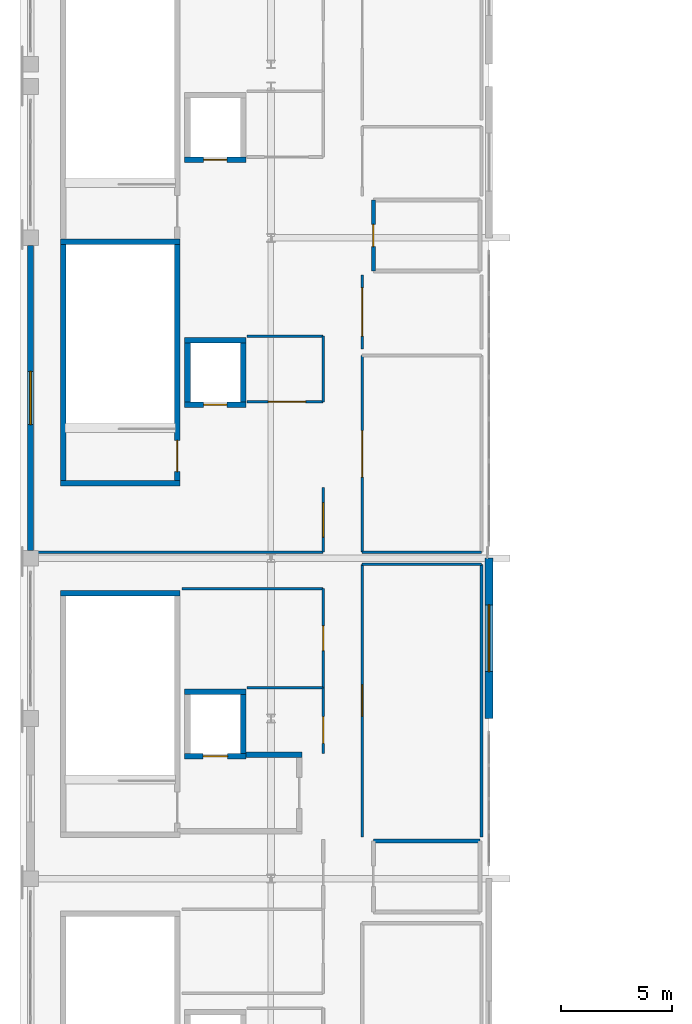
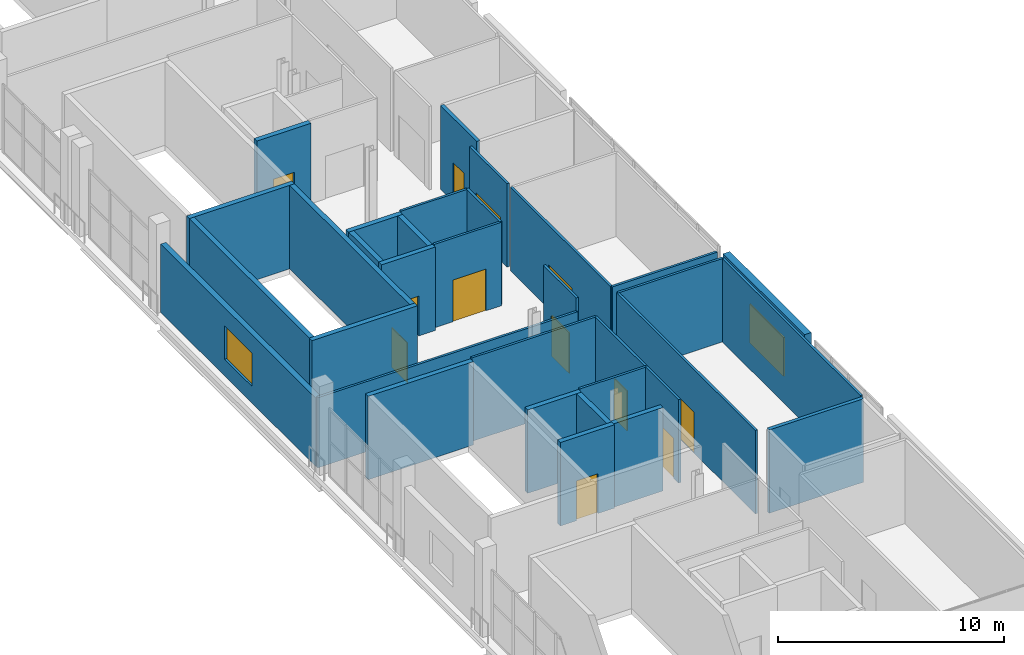
# One storey, part 13 of 19: 33 walls, 12 doors, 2 windows, 14 openings.
"""IFC4 building model written with IfcOpenShell, lengths in metres."""

from ifc_helpers import new_model, si_unit, direction, frame, frame_2d, origin, place, context, subcontext, project, spatial, rectangle, extrude, material, layer, layer_set, type_object, element, fill, save


model = new_model("IFC4")

# Units and contexts
model_context = context("Model", 3, precision=1e-05, world=origin(), true_north=direction((0.0, 1.0)))
body_context = subcontext(model_context, "Body", "Model", "MODEL_VIEW")
ifc_project = project(units=[si_unit("LENGTHUNIT", "METRE"), si_unit("AREAUNIT", "SQUARE_METRE"), si_unit("VOLUMEUNIT", "CUBIC_METRE"), si_unit("PLANEANGLEUNIT", "RADIAN"), si_unit("MASSUNIT", "GRAM", prefix="KILO")], contexts=[model_context])

# Site, building, storey
site_placement = place(None, origin())
site = spatial("IfcSite", under=ifc_project, at=site_placement, CompositionType="ELEMENT")
building_placement = place(site_placement, origin())
building = spatial("IfcBuilding", under=site, at=building_placement, Name="Koshinbarg Plaza Stadium", CompositionType="ELEMENT")
storey_placement = place(building_placement, frame((0.0, 0.0, 29.39990234375)))
storey = spatial("IfcBuildingStorey", under=building, at=storey_placement, Name="L06", CompositionType="ELEMENT", Elevation=29.39990234375)

# Walls
ifc_material_1 = material(Name="Concrete C40/50", Category="concrete")
ifc_layer_1 = layer(ifc_material_1, 0.25)
ifc_layer_set_1 = layer_set([ifc_layer_1], Name="Concrete C40/50")
wall_type_1 = type_object("IfcWallType", Name="WL-CORE-250", PredefinedType="SHEAR", material=ifc_layer_set_1)
for number, where, z_axis, x_axis, name in (
    (1, (31.320068359375, 52.72509765625, 0.0), (0.0, 0.0, 1.0), (-1.0, 0.0, 0.0), "L06 core stair shear wall C02-far IWL-L06-0054"),
    (2, (25.949951171875, 57.675048828125, 0.0), (0.0, 0.0, 1.0), (1.0, 0.0, 0.0), "L06 core stair shear wall C03-near IWL-L06-0081"),
    (3, (31.320068359375, 68.52490234375, 0.0), (0.0, 0.0, 1.0), (-1.0, 0.0, 0.0), "L06 core stair shear wall C03-far IWL-L06-0082"),
):
    element("IfcWall", number, at=place(storey_placement, frame(where, z_axis=z_axis, x_axis=x_axis)), inside=storey, type_object=wall_type_1, Name=name, PredefinedType="SHEAR", context=body_context, shape_type="SweptSolid", body=[
        extrude(rectangle(XDim=5.3701171875, YDim=0.25, at=frame_2d((2.68505859375, 0.0))), origin(), (0.0, 0.0, 1.0), 4.5),
    ])
wall_1_placement = place(storey_placement, frame((26.074951171875, 57.675048828125, 0.0), z_axis=(0.0, 0.0, 1.0), x_axis=(0.0, 1.0, 0.0)))
element("IfcWall", 4, at=wall_1_placement, inside=storey, type_object=wall_type_1, Name="L06 core stair shear wall C03-left IWL-L06-0083", PredefinedType="SHEAR", context=body_context, shape_type="SweptSolid", body=[
    extrude(rectangle(XDim=10.849853515625, YDim=0.25, at=frame_2d((5.4248046875, 0.0))), origin(), (0.0, 0.0, 1.0), 4.5),
])

# Wall, opening, door
wall_2_placement = place(storey_placement, frame((31.195068359375, 57.675048828125, 0.0), z_axis=(0.0, 0.0, 1.0), x_axis=(0.0, 1.0, 0.0)))
wall_2 = element("IfcWall", 5, at=wall_2_placement, inside=storey, type_object=wall_type_1, Name="L06 core stair shear wall C03-right IWL-L06-0084", PredefinedType="SHEAR", context=body_context, shape_type="SweptSolid", body=[
    extrude(rectangle(XDim=10.849853515625, YDim=0.25, at=frame_2d((5.4248046875, 0.0))), origin(), (0.0, 0.0, 1.0), 4.5),
])
opening_1_placement = place(wall_2_placement, frame((0.52001953125, 0.0, 0.0)))
opening_1 = element("IfcOpeningElement", 6, at=opening_1_placement, cuts=wall_2, Name="Opening D-0081", PredefinedType="OPENING", context=body_context, shape_type="SweptSolid", body=[
    extrude(rectangle(XDim=1.39990234375, YDim=2.14990234375, at=frame_2d((0.699951171875, 1.074951171875))), frame((0.0, 0.135009765625, 0.0), z_axis=(0.0, -1.0, 0.0), x_axis=(1.0, 0.0, 0.0)), (0.0, 0.0, 1.0), 0.27001953125),
])
ifc_material_2 = material(Name="Painted galvanized steel fire door", Category="steel")
door_type_1 = type_object("IfcDoorType", Name="DR-STAIR-1400", OperationType="NOTDEFINED", PredefinedType="DOOR", material=ifc_material_2)
door_1_placement = place(opening_1_placement, origin())
door_1 = element("IfcDoor", 7, at=door_1_placement, inside=storey, type_object=door_type_1, Name="L06 exit stair door C03", OperationType="SINGLE_SWING_LEFT", OverallHeight=2.14990234375, OverallWidth=1.39990234375, PredefinedType="DOOR", context=body_context, shape_type="SweptSolid", body=[
    extrude(rectangle(XDim=1.39990234375, YDim=2.14990234375, at=frame_2d((0.699951171875, 1.074951171875))), frame((0.0, 0.02490234375, 0.0), z_axis=(0.0, -1.0, 0.0), x_axis=(1.0, 0.0, 0.0)), (0.0, 0.0, 1.0), 0.050048828125),
])
fill(opening_1, door_1)

wall_3_placement = place(storey_placement, frame((31.52490234375, 45.39990234375, 0.0), z_axis=(0.0, 0.0, 1.0), x_axis=(1.0, 0.0, 0.0)))
wall_3 = element("IfcWall", 8, at=wall_3_placement, inside=storey, type_object=wall_type_1, Name="L06 lift shaft shear wall FL02-S IWL-L06-0701", PredefinedType="SHEAR", context=body_context, shape_type="SweptSolid", body=[
    extrude(rectangle(XDim=2.75, YDim=0.25, at=frame_2d((1.375, 0.0))), origin(), (0.0, 0.0, 1.0), 4.5),
])
opening_2_placement = place(wall_3_placement, frame((0.824951171875, 0.0, 0.0)))
opening_2 = element("IfcOpeningElement", 9, at=opening_2_placement, cuts=wall_3, Name="Opening D-0241", PredefinedType="OPENING", context=body_context, shape_type="SweptSolid", body=[
    extrude(rectangle(XDim=1.10009765625, YDim=2.14990234375, at=frame_2d((0.550048828125, 1.074951171875))), frame((0.0, 0.135009765625, 0.0), z_axis=(0.0, -1.0, 0.0), x_axis=(1.0, 0.0, 0.0)), (0.0, 0.0, 1.0), 0.27001953125),
])
ifc_material_3 = material(Name="Brushed stainless steel sliding lift landing door", Category="steel")
door_type_2 = type_object("IfcDoorType", Name="DR-LIFT-1100", OperationType="NOTDEFINED", PredefinedType="DOOR", material=ifc_material_3)
door_2_placement = place(opening_2_placement, origin())
door_2 = element("IfcDoor", 10, at=door_2_placement, inside=storey, type_object=door_type_2, Name="L06 lift landing door FL02", OperationType="SLIDING_TO_LEFT", OverallHeight=2.14990234375, OverallWidth=1.10009765625, PredefinedType="DOOR", context=body_context, shape_type="SweptSolid", body=[
    extrude(rectangle(XDim=1.10009765625, YDim=2.14990234375, at=frame_2d((0.550048828125, 1.074951171875))), frame((0.0, 0.02490234375, 0.0), z_axis=(0.0, -1.0, 0.0), x_axis=(1.0, 0.0, 0.0)), (0.0, 0.0, 1.0), 0.050048828125),
])
fill(opening_2, door_2)

# Walls
wall_4_placement = place(storey_placement, frame((34.27490234375, 48.300048828125, 0.0), z_axis=(0.0, 0.0, 1.0), x_axis=(-1.0, 0.0, 0.0)))
element("IfcWall", 11, at=wall_4_placement, inside=storey, type_object=wall_type_1, Name="L06 lift shaft shear wall FL02-N IWL-L06-0702", PredefinedType="SHEAR", context=body_context, shape_type="SweptSolid", body=[
    extrude(rectangle(XDim=2.75, YDim=0.25, at=frame_2d((1.375, 0.0))), origin(), (0.0, 0.0, 1.0), 4.5),
])
wall_5_placement = place(storey_placement, frame((34.14990234375, 45.39990234375, 0.0), z_axis=(0.0, 0.0, 1.0), x_axis=(0.0, 1.0, 0.0)))
element("IfcWall", 12, at=wall_5_placement, inside=storey, type_object=wall_type_1, Name="L06 lift shaft shear wall FL02-E IWL-L06-0704", PredefinedType="SHEAR", context=body_context, shape_type="SweptSolid", body=[
    extrude(rectangle(XDim=2.900146484375, YDim=0.25, at=frame_2d((1.4501953125, 0.0))), origin(), (0.0, 0.0, 1.0), 4.5),
])
wall_6_placement = place(storey_placement, frame((34.27490234375, 45.47509765625, 0.0), z_axis=(0.0, 0.0, 1.0), x_axis=(1.0, 0.0, 0.0)))
element("IfcWall", 13, at=wall_6_placement, inside=storey, type_object=wall_type_1, Name="L06 firefighting lobby wall C02-NE IWL-L06-0706", PredefinedType="SHEAR", context=body_context, shape_type="SweptSolid", body=[
    extrude(rectangle(XDim=2.525146484375, YDim=0.25, at=frame_2d((1.2626953125, 0.0))), origin(), (0.0, 0.0, 1.0), 4.5),
])

# Wall, opening, door
wall_7_placement = place(storey_placement, frame((31.52490234375, 61.199951171875, 0.0), z_axis=(0.0, 0.0, 1.0), x_axis=(1.0, 0.0, 0.0)))
wall_7 = element("IfcWall", 14, at=wall_7_placement, inside=storey, type_object=wall_type_1, Name="L06 lift shaft shear wall LP01-S IWL-L06-0732", PredefinedType="SHEAR", context=body_context, shape_type="SweptSolid", body=[
    extrude(rectangle(XDim=2.75, YDim=0.25, at=frame_2d((1.375, 0.0))), origin(), (0.0, 0.0, 1.0), 4.5),
])
opening_3_placement = place(wall_7_placement, frame((0.85009765625, 0.0, 0.0)))
opening_3 = element("IfcOpeningElement", 15, at=opening_3_placement, cuts=wall_7, Name="Opening D-0249", PredefinedType="OPENING", context=body_context, shape_type="SweptSolid", body=[
    extrude(rectangle(XDim=1.050048828125, YDim=2.14990234375, at=frame_2d((0.52490234375, 1.074951171875))), frame((0.0, 0.135009765625, 0.0), z_axis=(0.0, -1.0, 0.0), x_axis=(1.0, 0.0, 0.0)), (0.0, 0.0, 1.0), 0.27001953125),
])
door_type_3 = type_object("IfcDoorType", Name="DR-LIFT-1050", OperationType="NOTDEFINED", PredefinedType="DOOR", material=ifc_material_3)
door_3_placement = place(opening_3_placement, origin())
door_3 = element("IfcDoor", 16, at=door_3_placement, inside=storey, type_object=door_type_3, Name="L06 lift landing door LP01", OperationType="SLIDING_TO_RIGHT", OverallHeight=2.14990234375, OverallWidth=1.050048828125, PredefinedType="DOOR", context=body_context, shape_type="SweptSolid", body=[
    extrude(rectangle(XDim=1.050048828125, YDim=2.14990234375, at=frame_2d((0.52490234375, 1.074951171875))), frame((0.0, 0.02490234375, 0.0), z_axis=(0.0, -1.0, 0.0), x_axis=(1.0, 0.0, 0.0)), (0.0, 0.0, 1.0), 0.050048828125),
])
fill(opening_3, door_3)

# Walls
wall_8_placement = place(storey_placement, frame((34.27490234375, 64.10009765625, 0.0), z_axis=(0.0, 0.0, 1.0), x_axis=(-1.0, 0.0, 0.0)))
element("IfcWall", 17, at=wall_8_placement, inside=storey, type_object=wall_type_1, Name="L06 lift shaft shear wall LP01-N IWL-L06-0733", PredefinedType="SHEAR", context=body_context, shape_type="SweptSolid", body=[
    extrude(rectangle(XDim=2.75, YDim=0.25, at=frame_2d((1.375, 0.0))), origin(), (0.0, 0.0, 1.0), 4.5),
])
for number, where, z_axis, x_axis, name in (
    (18, (31.64990234375, 64.10009765625, 0.0), (0.0, 0.0, 1.0), (0.0, -1.0, 0.0), "L06 lift shaft shear wall LP01-W IWL-L06-0734"),
    (19, (34.14990234375, 61.199951171875, 0.0), (0.0, 0.0, 1.0), (0.0, 1.0, 0.0), "L06 lift shaft shear wall LP01-E IWL-L06-0735"),
):
    element("IfcWall", number, at=place(storey_placement, frame(where, z_axis=z_axis, x_axis=x_axis)), inside=storey, type_object=wall_type_1, Name=name, PredefinedType="SHEAR", context=body_context, shape_type="SweptSolid", body=[
        extrude(rectangle(XDim=2.900146484375, YDim=0.25, at=frame_2d((1.4501953125, 0.0))), origin(), (0.0, 0.0, 1.0), 4.5),
    ])

# Wall, opening, door
wall_9_placement = place(storey_placement, frame((31.52490234375, 72.199951171875, 0.0), z_axis=(0.0, 0.0, 1.0), x_axis=(1.0, 0.0, 0.0)))
wall_9 = element("IfcWall", 20, at=wall_9_placement, inside=storey, type_object=wall_type_1, Name="L06 lift shaft shear wall LP02-S IWL-L06-0760", PredefinedType="SHEAR", context=body_context, shape_type="SweptSolid", body=[
    extrude(rectangle(XDim=2.75, YDim=0.25, at=frame_2d((1.375, 0.0))), origin(), (0.0, 0.0, 1.0), 4.5),
])
opening_4_placement = place(wall_9_placement, frame((0.85009765625, 0.0, 0.0)))
opening_4 = element("IfcOpeningElement", 21, at=opening_4_placement, cuts=wall_9, Name="Opening D-0256", PredefinedType="OPENING", context=body_context, shape_type="SweptSolid", body=[
    extrude(rectangle(XDim=1.050048828125, YDim=2.14990234375, at=frame_2d((0.52490234375, 1.074951171875))), frame((0.0, 0.135009765625, 0.0), z_axis=(0.0, -1.0, 0.0), x_axis=(1.0, 0.0, 0.0)), (0.0, 0.0, 1.0), 0.27001953125),
])
door_4_placement = place(opening_4_placement, origin())
door_4 = element("IfcDoor", 22, at=door_4_placement, inside=storey, type_object=door_type_3, Name="L06 lift landing door LP02", OperationType="SLIDING_TO_LEFT", OverallHeight=2.14990234375, OverallWidth=1.050048828125, PredefinedType="DOOR", context=body_context, shape_type="SweptSolid", body=[
    extrude(rectangle(XDim=1.050048828125, YDim=2.14990234375, at=frame_2d((0.52490234375, 1.074951171875))), frame((0.0, 0.02490234375, 0.0), z_axis=(0.0, -1.0, 0.0), x_axis=(1.0, 0.0, 0.0)), (0.0, 0.0, 1.0), 0.050048828125),
])
fill(opening_4, door_4)

# Wall, opening, window
ifc_material_4 = material(Name="Terracotta-ochre mineral plaster insulated wall", Category="masonry")
ifc_layer_2 = layer(ifc_material_4, 0.280029296875)
ifc_layer_set_2 = layer_set([ifc_layer_2], Name="Terracotta-ochre mineral plaster insulated wall")
wall_type_2 = type_object("IfcWallType", Name="WL-EXT-280", PredefinedType="SOLIDWALL", material=ifc_layer_set_2)
wall_10_placement = place(storey_placement, frame((24.60009765625, 54.64501953125, 0.0), z_axis=(0.0, 0.0, 1.0), x_axis=(0.0, 1.0, 0.0)))
wall_10 = element("IfcWall", 23, at=wall_10_placement, inside=storey, type_object=wall_type_2, Name="L06 exterior envelope wall EWL-L06-0248", PredefinedType="SOLIDWALL", context=body_context, shape_type="SweptSolid", body=[
    extrude(rectangle(XDim=13.7099609375, YDim=0.280029296875, at=frame_2d((6.85498046875, 0.0))), origin(), (0.0, 0.0, 1.0), 3.68017578125),
])
opening_5_placement = place(wall_10_placement, frame((5.655029296875, 0.0, 0.89990234375)))
opening_5 = element("IfcOpeningElement", 24, at=opening_5_placement, cuts=wall_10, Name="Opening WN11", PredefinedType="OPENING", context=body_context, shape_type="SweptSolid", body=[
    extrude(rectangle(XDim=2.39990234375, YDim=1.800048828125, at=frame_2d((1.199951171875, 0.89990234375))), frame((0.0, 0.14990234375, 0.0), z_axis=(0.0, -1.0, 0.0), x_axis=(1.0, 0.0, 0.0)), (0.0, 0.0, 1.0), 0.300048828125),
])
ifc_material_5 = material(Name="Solar-control double glazing in thermally broken aluminium frame", Category="aluminium")
window_type_1 = type_object("IfcWindowType", Name="WN-FAC-11", PartitioningType="DOUBLE_PANEL_VERTICAL", PredefinedType="WINDOW", material=ifc_material_5)
window_1_placement = place(opening_5_placement, origin())
window_1 = element("IfcWindow", 25, at=window_1_placement, inside=storey, type_object=window_type_1, Name="L06 facade window 0179", OverallHeight=1.800048828125, OverallWidth=2.39990234375, PartitioningType="SINGLE_PANEL", PredefinedType="WINDOW", context=body_context, shape_type="SweptSolid", body=[
    extrude(rectangle(XDim=2.39990234375, YDim=1.800048828125, at=frame_2d((1.199951171875, 0.89990234375))), frame((0.0, 0.030029296875, 0.0), z_axis=(0.0, -1.0, 0.0), x_axis=(1.0, 0.0, 0.0)), (0.0, 0.0, 1.0), 0.06005859375),
])
fill(opening_5, window_1)

ifc_material_6 = material(Name="Acoustic insulated masonry stadium wall", Category="masonry")
ifc_layer_3 = layer(ifc_material_6, 0.35009765625)
ifc_layer_set_3 = layer_set([ifc_layer_3], Name="Acoustic insulated masonry stadium wall")
wall_type_3 = type_object("IfcWallType", Name="WL-EXT-350", PredefinedType="SOLIDWALL", material=ifc_layer_set_3)
wall_11_placement = place(storey_placement, frame((45.199951171875, 54.300048828125, 0.0), z_axis=(0.0, 0.0, 1.0), x_axis=(0.0, -1.0, 0.0)))
wall_11 = element("IfcWall", 26, at=wall_11_placement, inside=storey, type_object=wall_type_3, Name="L06 exterior envelope wall EWL-L06-0255", PredefinedType="SOLIDWALL", context=body_context, shape_type="SweptSolid", body=[
    extrude(rectangle(XDim=7.199951171875, YDim=0.35009765625, at=frame_2d((3.60009765625, 0.0))), origin(), (0.0, 0.0, 1.0), 4.47998046875),
])
opening_6_placement = place(wall_11_placement, frame((2.10009765625, 0.0, 0.89990234375)))
opening_6 = element("IfcOpeningElement", 27, at=opening_6_placement, cuts=wall_11, Name="Opening WN17", PredefinedType="OPENING", context=body_context, shape_type="SweptSolid", body=[
    extrude(rectangle(XDim=3.0, YDim=2.10009765625, at=frame_2d((1.5, 1.050048828125))), frame((0.0, 0.18505859375, 0.0), z_axis=(0.0, -1.0, 0.0), x_axis=(1.0, 0.0, 0.0)), (0.0, 0.0, 1.0), 0.3701171875),
])
window_type_2 = type_object("IfcWindowType", Name="WN-FAC-17", PartitioningType="DOUBLE_PANEL_VERTICAL", PredefinedType="WINDOW", material=ifc_material_5)
window_2_placement = place(opening_6_placement, origin())
window_2 = element("IfcWindow", 28, at=window_2_placement, inside=storey, type_object=window_type_2, Name="L06 facade window 0185", OverallHeight=2.10009765625, OverallWidth=3.0, PartitioningType="SINGLE_PANEL", PredefinedType="WINDOW", context=body_context, shape_type="SweptSolid", body=[
    extrude(rectangle(XDim=3.0, YDim=2.10009765625, at=frame_2d((1.5, 1.050048828125))), frame((0.0, 0.030029296875, 0.0), z_axis=(0.0, -1.0, 0.0), x_axis=(1.0, 0.0, 0.0)), (0.0, 0.0, 1.0), 0.06005859375),
])
fill(opening_6, window_2)

# Wall, opening, door
ifc_material_7 = material(Name="Gypsum board metal-stud acoustic partition")
ifc_layer_4 = layer(ifc_material_7, 0.1201171875)
ifc_layer_set_4 = layer_set([ifc_layer_4], Name="Gypsum board metal-stud acoustic partition")
wall_type_4 = type_object("IfcWallType", Name="WL-PART-120", PredefinedType="PARTITIONING", material=ifc_layer_set_4)
wall_12_placement = place(storey_placement, frame((37.75, 48.47998046875, 0.0), z_axis=(0.0, 0.0, 1.0), x_axis=(0.0, 1.0, 0.0)))
wall_12 = element("IfcWall", 29, at=wall_12_placement, inside=storey, type_object=wall_type_4, Name="L06 interior partition L06-24-east IWL-L06-2395", PredefinedType="PARTITIONING", context=body_context, shape_type="SweptSolid", body=[
    extrude(rectangle(XDim=4.449951171875, YDim=0.1201171875, at=frame_2d((2.22509765625, 0.0))), origin(), (0.0, 0.0, 1.0), 4.5),
])
opening_7_placement = place(wall_12_placement, frame((1.6650390625, 0.0, 0.0)))
opening_7 = element("IfcOpeningElement", 30, at=opening_7_placement, cuts=wall_12, Name="Opening D-0831", PredefinedType="OPENING", context=body_context, shape_type="SweptSolid", body=[
    extrude(rectangle(XDim=1.1201171875, YDim=2.14990234375, at=frame_2d((0.56005859375, 1.074951171875))), frame((0.0, 0.070068359375, 0.0), z_axis=(0.0, -1.0, 0.0), x_axis=(1.0, 0.0, 0.0)), (0.0, 0.0, 1.0), 0.14013671875),
])
ifc_material_8 = material(Name="Acoustic timber broadcast studio door", Category="wood")
door_type_4 = type_object("IfcDoorType", Name="DR-INT-1120x2150", OperationType="NOTDEFINED", PredefinedType="DOOR", material=ifc_material_8)
door_5_placement = place(opening_7_placement, origin())
door_5 = element("IfcDoor", 31, at=door_5_placement, inside=storey, type_object=door_type_4, Name="L06 Championship Trophy Hall door D-0831", OperationType="SINGLE_SWING_LEFT", OverallHeight=2.14990234375, OverallWidth=1.1201171875, PredefinedType="DOOR", context=body_context, shape_type="SweptSolid", body=[
    extrude(rectangle(XDim=1.1201171875, YDim=2.14990234375, at=frame_2d((0.56005859375, 1.074951171875))), frame((0.0, 0.02490234375, 0.0), z_axis=(0.0, -1.0, 0.0), x_axis=(1.0, 0.0, 0.0)), (0.0, 0.0, 1.0), 0.050048828125),
])
fill(opening_7, door_5)

# Wall
wall_13_placement = place(storey_placement, frame((37.75, 52.929931640625, 0.0), z_axis=(0.0, 0.0, 1.0), x_axis=(-1.0, 0.0, 0.0)))
element("IfcWall", 32, at=wall_13_placement, inside=storey, type_object=wall_type_4, Name="L06 interior partition L06-24-north IWL-L06-2396", PredefinedType="PARTITIONING", context=body_context, shape_type="SweptSolid", body=[
    extrude(rectangle(XDim=6.35009765625, YDim=0.1201171875, at=frame_2d((3.175048828125, 0.0))), origin(), (0.0, 0.0, 1.0), 4.5),
])

# Wall, opening, door
wall_14_placement = place(storey_placement, frame((37.75, 45.530029296875, 0.0), z_axis=(0.0, 0.0, 1.0), x_axis=(0.0, 1.0, 0.0)))
wall_14 = element("IfcWall", 33, at=wall_14_placement, inside=storey, type_object=wall_type_4, Name="L06 interior partition L06-25-east IWL-L06-2397", PredefinedType="PARTITIONING", context=body_context, shape_type="SweptSolid", body=[
    extrude(rectangle(XDim=2.949951171875, YDim=0.1201171875, at=frame_2d((1.47509765625, 0.0))), origin(), (0.0, 0.0, 1.0), 4.5),
])
opening_8_placement = place(wall_14_placement, frame((0.455078125, 0.0, 0.0)))
opening_8 = element("IfcOpeningElement", 34, at=opening_8_placement, cuts=wall_14, Name="Opening D-0832", PredefinedType="OPENING", context=body_context, shape_type="SweptSolid", body=[
    extrude(rectangle(XDim=1.199951171875, YDim=2.14990234375, at=frame_2d((0.60009765625, 1.074951171875))), frame((0.0, 0.070068359375, 0.0), z_axis=(0.0, -1.0, 0.0), x_axis=(1.0, 0.0, 0.0)), (0.0, 0.0, 1.0), 0.14013671875),
])
ifc_material_9 = material(Name="Solid-core hardwood leaf in painted steel frame", Category="steel")
door_type_5 = type_object("IfcDoorType", Name="DR-INT-1200x2150", OperationType="NOTDEFINED", PredefinedType="DOOR", material=ifc_material_9)
door_6_placement = place(opening_8_placement, origin())
door_6 = element("IfcDoor", 35, at=door_6_placement, inside=storey, type_object=door_type_5, Name="L06 Members Panorama Lounge door D-0832", OperationType="SINGLE_SWING_RIGHT", OverallHeight=2.14990234375, OverallWidth=1.199951171875, PredefinedType="DOOR", context=body_context, shape_type="SweptSolid", body=[
    extrude(rectangle(XDim=1.199951171875, YDim=2.14990234375, at=frame_2d((0.60009765625, 1.074951171875))), frame((0.0, 0.02490234375, 0.0), z_axis=(0.0, -1.0, 0.0), x_axis=(1.0, 0.0, 0.0)), (0.0, 0.0, 1.0), 0.050048828125),
])
fill(opening_8, door_6)

# Walls
wall_15_placement = place(storey_placement, frame((37.75, 48.47998046875, 0.0), z_axis=(0.0, 0.0, 1.0), x_axis=(-1.0, 0.0, 0.0)))
element("IfcWall", 36, at=wall_15_placement, inside=storey, type_object=wall_type_4, Name="L06 interior partition L06-25-north IWL-L06-2398", PredefinedType="PARTITIONING", context=body_context, shape_type="SweptSolid", body=[
    extrude(rectangle(XDim=3.419921875, YDim=0.1201171875, at=frame_2d((1.7099609375, 0.0))), origin(), (0.0, 0.0, 1.0), 4.5),
])
wall_16_placement = place(storey_placement, frame((44.860107421875, 41.780029296875, 0.0), z_axis=(0.0, 0.0, 1.0), x_axis=(0.0, 1.0, 0.0)))
element("IfcWall", 37, at=wall_16_placement, inside=storey, type_object=wall_type_4, Name="L06 interior partition L06-27-east IWL-L06-2403", PredefinedType="PARTITIONING", context=body_context, shape_type="SweptSolid", body=[
    extrude(rectangle(XDim=12.25, YDim=0.1201171875, at=frame_2d((6.125, 0.0))), origin(), (0.0, 0.0, 1.0), 4.5),
])
wall_17_placement = place(storey_placement, frame((44.860107421875, 54.030029296875, 0.0), z_axis=(0.0, 0.0, 1.0), x_axis=(-1.0, 0.0, 0.0)))
element("IfcWall", 38, at=wall_17_placement, inside=storey, type_object=wall_type_4, Name="L06 interior partition L06-27-north IWL-L06-2404", PredefinedType="PARTITIONING", context=body_context, shape_type="SweptSolid", body=[
    extrude(rectangle(XDim=5.360107421875, YDim=0.1201171875, at=frame_2d((2.68017578125, 0.0))), origin(), (0.0, 0.0, 1.0), 4.5),
])

# Wall, opening, door
wall_18_placement = place(storey_placement, frame((39.5, 54.030029296875, 0.0), z_axis=(0.0, 0.0, 1.0), x_axis=(0.0, -1.0, 0.0)))
wall_18 = element("IfcWall", 39, at=wall_18_placement, inside=storey, type_object=wall_type_4, Name="L06 interior partition L06-27-west IWL-L06-2405", PredefinedType="PARTITIONING", context=body_context, shape_type="SweptSolid", body=[
    extrude(rectangle(XDim=12.25, YDim=0.1201171875, at=frame_2d((6.125, 0.0))), origin(), (0.0, 0.0, 1.0), 4.5),
])
opening_9_placement = place(wall_18_placement, frame((5.425048828125, 0.0, 0.0)))
opening_9 = element("IfcOpeningElement", 40, at=opening_9_placement, cuts=wall_18, Name="Opening D-0834", PredefinedType="OPENING", context=body_context, shape_type="SweptSolid", body=[
    extrude(rectangle(XDim=1.39990234375, YDim=2.199951171875, at=frame_2d((0.699951171875, 1.10009765625))), frame((0.0, 0.070068359375, 0.0), z_axis=(0.0, -1.0, 0.0), x_axis=(1.0, 0.0, 0.0)), (0.0, 0.0, 1.0), 0.14013671875),
])
ifc_material_10 = material(Name="Stainless-clad solid-core timber double fire door", Category="wood")
door_type_6 = type_object("IfcDoorType", Name="DR-INT-1400x2200", OperationType="NOTDEFINED", PredefinedType="DOOR", material=ifc_material_10)
door_7_placement = place(opening_9_placement, origin())
door_7 = element("IfcDoor", 41, at=door_7_placement, inside=storey, type_object=door_type_6, Name="L06 Championship Trophy Hall door D-0834", OperationType="DOUBLE_DOOR_SINGLE_SWING", OverallHeight=2.199951171875, OverallWidth=1.39990234375, PredefinedType="DOOR", context=body_context, shape_type="SweptSolid", body=[
    extrude(rectangle(XDim=1.39990234375, YDim=2.199951171875, at=frame_2d((0.699951171875, 1.10009765625))), frame((0.0, 0.02490234375, 0.0), z_axis=(0.0, -1.0, 0.0), x_axis=(1.0, 0.0, 0.0)), (0.0, 0.0, 1.0), 0.050048828125),
])
fill(opening_9, door_7)

# Wall
wall_19_placement = place(storey_placement, frame((24.485107421875, 54.570068359375, 0.0), z_axis=(0.0, 0.0, 1.0), x_axis=(1.0, 0.0, 0.0)))
element("IfcWall", 42, at=wall_19_placement, inside=storey, type_object=wall_type_4, Name="L06 interior partition L06-28-south IWL-L06-2406", PredefinedType="PARTITIONING", context=body_context, shape_type="SweptSolid", body=[
    extrude(rectangle(XDim=13.264892578125, YDim=0.1201171875, at=frame_2d((6.63232421875, 0.0))), origin(), (0.0, 0.0, 1.0), 3.780029296875),
])

# Wall, opening, door
wall_20_placement = place(storey_placement, frame((37.75, 54.570068359375, 0.0), z_axis=(0.0, 0.0, 1.0), x_axis=(0.0, 1.0, 0.0)))
wall_20 = element("IfcWall", 43, at=wall_20_placement, inside=storey, type_object=wall_type_4, Name="L06 interior partition L06-28-east IWL-L06-2407", PredefinedType="PARTITIONING", context=body_context, shape_type="SweptSolid", body=[
    extrude(rectangle(XDim=2.89990234375, YDim=0.1201171875, at=frame_2d((1.449951171875, 0.0))), origin(), (0.0, 0.0, 1.0), 4.5),
])
opening_10_placement = place(wall_20_placement, frame((0.675048828125, 0.0, 0.0)))
opening_10 = element("IfcOpeningElement", 44, at=opening_10_placement, cuts=wall_20, Name="Opening D-0835", PredefinedType="OPENING", context=body_context, shape_type="SweptSolid", body=[
    extrude(rectangle(XDim=1.550048828125, YDim=2.199951171875, at=frame_2d((0.77490234375, 1.10009765625))), frame((0.0, 0.070068359375, 0.0), z_axis=(0.0, -1.0, 0.0), x_axis=(1.0, 0.0, 0.0)), (0.0, 0.0, 1.0), 0.14013671875),
])
ifc_material_11 = material(Name="Toughened laminated glass in aluminium frame", Category="aluminium")
door_type_7 = type_object("IfcDoorType", Name="DR-INT-1550x2200", OperationType="NOTDEFINED", PredefinedType="DOOR", material=ifc_material_11)
door_8_placement = place(opening_10_placement, origin())
door_8 = element("IfcDoor", 45, at=door_8_placement, inside=storey, type_object=door_type_7, Name="L06 Championship Trophy Hall door D-0835", OperationType="DOUBLE_DOOR_SINGLE_SWING", OverallHeight=2.199951171875, OverallWidth=1.550048828125, PredefinedType="DOOR", context=body_context, shape_type="SweptSolid", body=[
    extrude(rectangle(XDim=1.550048828125, YDim=2.199951171875, at=frame_2d((0.77490234375, 1.10009765625))), frame((0.0, 0.02490234375, 0.0), z_axis=(0.0, -1.0, 0.0), x_axis=(1.0, 0.0, 0.0)), (0.0, 0.0, 1.0), 0.050048828125),
])
fill(opening_10, door_8)

wall_21_placement = place(storey_placement, frame((34.330078125, 61.330078125, 0.0), z_axis=(0.0, 0.0, 1.0), x_axis=(1.0, 0.0, 0.0)))
wall_21 = element("IfcWall", 46, at=wall_21_placement, inside=storey, type_object=wall_type_4, Name="L06 interior partition L06-29-south IWL-L06-2408", PredefinedType="PARTITIONING", context=body_context, shape_type="SweptSolid", body=[
    extrude(rectangle(XDim=3.419921875, YDim=0.1201171875, at=frame_2d((1.7099609375, 0.0))), origin(), (0.0, 0.0, 1.0), 4.5),
])
opening_11_placement = place(wall_21_placement, frame((0.953125, 0.0, 0.0)))
opening_11 = element("IfcOpeningElement", 47, at=opening_11_placement, cuts=wall_21, Name="Opening D-0836", PredefinedType="OPENING", context=body_context, shape_type="SweptSolid", body=[
    extrude(rectangle(XDim=1.679931640625, YDim=2.25, at=frame_2d((0.83984375, 1.125))), frame((0.0, 0.070068359375, 0.0), z_axis=(0.0, -1.0, 0.0), x_axis=(1.0, 0.0, 0.0)), (0.0, 0.0, 1.0), 0.14013671875),
])
ifc_material_12 = material(Name="Powder-coated aluminium double glazed door", Category="aluminium")
door_type_8 = type_object("IfcDoorType", Name="DR-INT-1680x2250", OperationType="NOTDEFINED", PredefinedType="DOOR", material=ifc_material_12)
door_9_placement = place(opening_11_placement, origin())
door_9 = element("IfcDoor", 48, at=door_9_placement, inside=storey, type_object=door_type_8, Name="L06 Members Panorama Lounge door D-0836", OperationType="DOUBLE_DOOR_SINGLE_SWING", OverallHeight=2.25, OverallWidth=1.679931640625, PredefinedType="DOOR", context=body_context, shape_type="SweptSolid", body=[
    extrude(rectangle(XDim=1.679931640625, YDim=2.25, at=frame_2d((0.83984375, 1.125))), frame((0.0, 0.02490234375, 0.0), z_axis=(0.0, -1.0, 0.0), x_axis=(1.0, 0.0, 0.0)), (0.0, 0.0, 1.0), 0.050048828125),
])
fill(opening_11, door_9)

# Walls
wall_22_placement = place(storey_placement, frame((37.75, 61.330078125, 0.0), z_axis=(0.0, 0.0, 1.0), x_axis=(0.0, 1.0, 0.0)))
element("IfcWall", 49, at=wall_22_placement, inside=storey, type_object=wall_type_4, Name="L06 interior partition L06-29-east IWL-L06-2409", PredefinedType="PARTITIONING", context=body_context, shape_type="SweptSolid", body=[
    extrude(rectangle(XDim=2.949951171875, YDim=0.1201171875, at=frame_2d((1.47509765625, 0.0))), origin(), (0.0, 0.0, 1.0), 4.5),
])
wall_23_placement = place(storey_placement, frame((37.75, 64.280029296875, 0.0), z_axis=(0.0, 0.0, 1.0), x_axis=(-1.0, 0.0, 0.0)))
element("IfcWall", 50, at=wall_23_placement, inside=storey, type_object=wall_type_4, Name="L06 interior partition L06-29-north IWL-L06-2410", PredefinedType="PARTITIONING", context=body_context, shape_type="SweptSolid", body=[
    extrude(rectangle(XDim=3.419921875, YDim=0.1201171875, at=frame_2d((1.7099609375, 0.0))), origin(), (0.0, 0.0, 1.0), 4.5),
])
wall_24_placement = place(storey_placement, frame((39.5, 54.570068359375, 0.0), z_axis=(0.0, 0.0, 1.0), x_axis=(1.0, 0.0, 0.0)))
element("IfcWall", 51, at=wall_24_placement, inside=storey, type_object=wall_type_4, Name="L06 interior partition L06-33-south IWL-L06-2418", PredefinedType="PARTITIONING", context=body_context, shape_type="SweptSolid", body=[
    extrude(rectangle(XDim=5.360107421875, YDim=0.1201171875, at=frame_2d((2.68017578125, 0.0))), origin(), (0.0, 0.0, 1.0), 4.5),
])

# Wall, opening, door
wall_25_placement = place(storey_placement, frame((39.5, 63.4091796875, 0.0), z_axis=(0.0, 0.0, 1.0), x_axis=(0.0, -1.0, 0.0)))
wall_25 = element("IfcWall", 52, at=wall_25_placement, inside=storey, type_object=wall_type_4, Name="L06 interior partition L06-33-west IWL-L06-2421", PredefinedType="PARTITIONING", context=body_context, shape_type="SweptSolid", body=[
    extrude(rectangle(XDim=8.839111328125, YDim=0.1201171875, at=frame_2d((4.41943359375, 0.0))), origin(), (0.0, 0.0, 1.0), 4.5),
])
opening_12_placement = place(wall_25_placement, frame((3.379638671875, 0.0, 0.0)))
opening_12 = element("IfcOpeningElement", 53, at=opening_12_placement, cuts=wall_25, Name="Opening D-0840", PredefinedType="OPENING", context=body_context, shape_type="SweptSolid", body=[
    extrude(rectangle(XDim=2.080078125, YDim=2.35009765625, at=frame_2d((1.0400390625, 1.175048828125))), frame((0.0, 0.070068359375, 0.0), z_axis=(0.0, -1.0, 0.0), x_axis=(1.0, 0.0, 0.0)), (0.0, 0.0, 1.0), 0.14013671875),
])
ifc_material_13 = material(Name="Laminated safety glass aluminium vestibule door", Category="aluminium")
door_type_9 = type_object("IfcDoorType", Name="DR-INT-2080x2350", OperationType="NOTDEFINED", PredefinedType="DOOR", material=ifc_material_13)
door_10_placement = place(opening_12_placement, origin())
door_10 = element("IfcDoor", 54, at=door_10_placement, inside=storey, type_object=door_type_9, Name="L06 Members Panorama Lounge door D-0840", OperationType="DOUBLE_DOOR_SINGLE_SWING", OverallHeight=2.35009765625, OverallWidth=2.080078125, PredefinedType="DOOR", context=body_context, shape_type="SweptSolid", body=[
    extrude(rectangle(XDim=2.080078125, YDim=2.35009765625, at=frame_2d((1.0400390625, 1.175048828125))), frame((0.0, 0.02490234375, 0.0), z_axis=(0.0, -1.0, 0.0), x_axis=(1.0, 0.0, 0.0)), (0.0, 0.0, 1.0), 0.050048828125),
])
fill(opening_12, door_10)

wall_26_placement = place(storey_placement, frame((39.5, 67.02001953125, 0.0), z_axis=(0.0, 0.0, 1.0), x_axis=(0.0, -1.0, 0.0)))
wall_26 = element("IfcWall", 55, at=wall_26_placement, inside=storey, type_object=wall_type_4, Name="L06 interior partition L06-34-west IWL-L06-2423", PredefinedType="PARTITIONING", context=body_context, shape_type="SweptSolid", body=[
    extrude(rectangle(XDim=3.310791015625, YDim=0.1201171875, at=frame_2d((1.6552734375, 0.0))), origin(), (0.0, 0.0, 1.0), 4.5),
])
opening_13_placement = place(wall_26_placement, frame((0.575439453125, 0.0, 0.0)))
opening_13 = element("IfcOpeningElement", 56, at=opening_13_placement, cuts=wall_26, Name="Opening D-0841", PredefinedType="OPENING", context=body_context, shape_type="SweptSolid", body=[
    extrude(rectangle(XDim=2.159912109375, YDim=2.35009765625, at=frame_2d((1.080078125, 1.175048828125))), frame((0.0, 0.070068359375, 0.0), z_axis=(0.0, -1.0, 0.0), x_axis=(1.0, 0.0, 0.0)), (0.0, 0.0, 1.0), 0.14013671875),
])
ifc_material_14 = material(Name="Galvanized painted steel double leaf door", Category="steel")
door_type_10 = type_object("IfcDoorType", Name="DR-INT-2160x2350", OperationType="NOTDEFINED", PredefinedType="DOOR", material=ifc_material_14)
door_11_placement = place(opening_13_placement, origin())
door_11 = element("IfcDoor", 57, at=door_11_placement, inside=storey, type_object=door_type_10, Name="L06 Executive Board Dining Room door D-0841", OperationType="DOUBLE_DOOR_SINGLE_SWING", OverallHeight=2.35009765625, OverallWidth=2.159912109375, PredefinedType="DOOR", context=body_context, shape_type="SweptSolid", body=[
    extrude(rectangle(XDim=2.159912109375, YDim=2.35009765625, at=frame_2d((1.080078125, 1.175048828125))), frame((0.0, 0.02490234375, 0.0), z_axis=(0.0, -1.0, 0.0), x_axis=(1.0, 0.0, 0.0)), (0.0, 0.0, 1.0), 0.050048828125),
])
fill(opening_13, door_11)

# Wall
ifc_material_15 = material(Name="Moisture-resistant tiled sanitary partition")
ifc_layer_5 = layer(ifc_material_15, 0.179931640625)
ifc_layer_set_5 = layer_set([ifc_layer_5], Name="Moisture-resistant tiled sanitary partition")
wall_type_5 = type_object("IfcWallType", Name="WL-PART-180", PredefinedType="PARTITIONING", material=ifc_layer_set_5)
wall_27_placement = place(storey_placement, frame((44.800048828125, 41.60009765625, 0.0), z_axis=(0.0, 0.0, 1.0), x_axis=(-1.0, 0.0, 0.0)))
element("IfcWall", 58, at=wall_27_placement, inside=storey, type_object=wall_type_5, Name="L06 interior partition L06-18-north IWL-L06-2383", PredefinedType="PARTITIONING", context=body_context, shape_type="SweptSolid", body=[
    extrude(rectangle(XDim=4.800048828125, YDim=0.179931640625, at=frame_2d((2.39990234375, 0.0))), origin(), (0.0, 0.0, 1.0), 4.5),
])

# Wall, opening, door
wall_28_placement = place(storey_placement, frame((40.0, 70.39990234375, 0.0), z_axis=(0.0, 0.0, 1.0), x_axis=(0.0, -1.0, 0.0)))
wall_28 = element("IfcWall", 59, at=wall_28_placement, inside=storey, type_object=wall_type_5, Name="L06 interior partition L06-19-west IWL-L06-2388", PredefinedType="PARTITIONING", context=body_context, shape_type="SweptSolid", body=[
    extrude(rectangle(XDim=3.199951171875, YDim=0.179931640625, at=frame_2d((1.60009765625, 0.0))), origin(), (0.0, 0.0, 1.0), 4.5),
])
opening_14_placement = place(wall_28_placement, frame((1.10009765625, 0.0, 0.0)))
opening_14 = element("IfcOpeningElement", 60, at=opening_14_placement, cuts=wall_28, Name="Opening D-0827", PredefinedType="OPENING", context=body_context, shape_type="SweptSolid", body=[
    extrude(rectangle(XDim=1.0, YDim=2.10009765625, at=frame_2d((0.5, 1.050048828125))), frame((0.0, 0.099853515625, 0.0), z_axis=(0.0, -1.0, 0.0), x_axis=(1.0, 0.0, 0.0)), (0.0, 0.0, 1.0), 0.199951171875),
])
ifc_material_16 = material(Name="Solid-core laminate accessible WC door")
door_type_11 = type_object("IfcDoorType", Name="DR-INT-1000x2100", OperationType="NOTDEFINED", PredefinedType="DOOR", material=ifc_material_16)
door_12_placement = place(opening_14_placement, origin())
door_12 = element("IfcDoor", 61, at=door_12_placement, inside=storey, type_object=door_type_11, Name="L06 Accessible WC 1 door D-0827", OperationType="SINGLE_SWING_LEFT", OverallHeight=2.10009765625, OverallWidth=1.0, PredefinedType="DOOR", context=body_context, shape_type="SweptSolid", body=[
    extrude(rectangle(XDim=1.0, YDim=2.10009765625, at=frame_2d((0.5, 1.050048828125))), frame((0.0, 0.02490234375, 0.0), z_axis=(0.0, -1.0, 0.0), x_axis=(1.0, 0.0, 0.0)), (0.0, 0.0, 1.0), 0.050048828125),
])
fill(opening_14, door_12)

save(model, "model.ifc")
